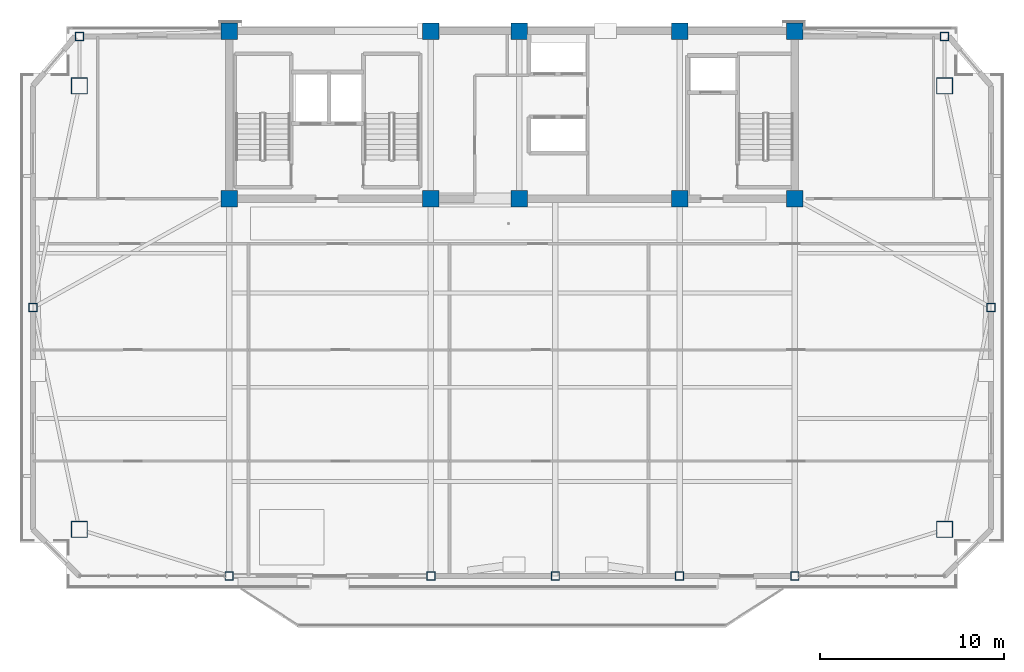
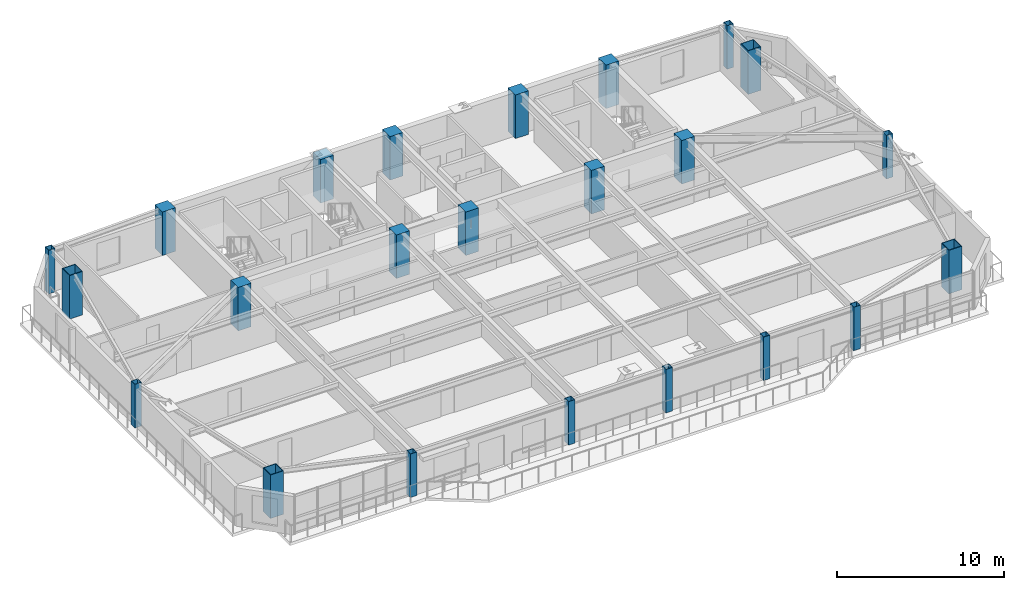
# One storey, part 1 of 16: 23 columns.
"""IFC4 building model written with IfcOpenShell, lengths in metres."""

from ifc_helpers import new_model, si_unit, direction, frame, origin, origin_2d, place, context, subcontext, project, spatial, rectangle, hollow_rectangle, extrude, source, transform, mapped, material, material_profile, profile_set, type_object, element, save


model = new_model("IFC4")

# Units and contexts
model_context = context("Model", 3, precision=1e-05, world=origin(), true_north=direction((0.0, 1.0)))
body_context = subcontext(model_context, "Body", "Model", "MODEL_VIEW")
ifc_project = project(units=[si_unit("LENGTHUNIT", "METRE"), si_unit("AREAUNIT", "SQUARE_METRE"), si_unit("VOLUMEUNIT", "CUBIC_METRE"), si_unit("PLANEANGLEUNIT", "RADIAN"), si_unit("MASSUNIT", "GRAM", prefix="KILO")], contexts=[model_context])

# Site, building, storey
site_placement = place(None, origin())
site = spatial("IfcSite", under=ifc_project, at=site_placement, CompositionType="ELEMENT")
building_placement = place(site_placement, origin())
building = spatial("IfcBuilding", under=site, at=building_placement, Name="Giltprow Tower", CompositionType="ELEMENT")
storey_placement = place(building_placement, frame((0.0, 0.0, 272.300048828125)))
storey = spatial("IfcBuildingStorey", under=building, at=storey_placement, Name="L70", CompositionType="ELEMENT", Elevation=272.300048828125)

# Columns
ifc_material_1 = material(Name="Concrete C45", Category="concrete")
ifc_material_profile_1 = material_profile(ifc_material_1, rectangle(XDim=0.89990234375, YDim=0.89990234375, at=origin_2d()), Name="RC 900x900")
ifc_profile_set_1 = profile_set([ifc_material_profile_1], Name="Concrete C45")
column_type_1 = type_object("IfcColumnType", Name="PIL-RC-900-C45", PredefinedType="PILASTER", material=ifc_profile_set_1)
shared_shape_1 = source(origin(), body_context, "Body", "SweptSolid", [
    extrude(rectangle(XDim=0.89990234375, YDim=0.89990234375, at=origin_2d()), origin(), (0.0, 0.0, 1.0), 3.18505859375),
])
for number, where, z_axis, x_axis, name in (
    (1, (19.85009765625, 37.449951171875, 0.0), (0.0, 0.0, 1.0), (1.0, 0.0, 0.0), "L70 Core Boundary Pilaster 1-1"),
    (2, (19.85009765625, 46.550048828125, 0.0), (0.0, 0.0, 1.0), (1.0, 0.0, 0.0), "L70 Core Boundary Pilaster 1-2"),
    (3, (30.800048828125, 37.449951171875, 0.0), (0.0, 0.0, 1.0), (1.0, 0.0, 0.0), "L70 Core Boundary Pilaster 2-1"),
    (4, (30.800048828125, 46.550048828125, 0.0), (0.0, 0.0, 1.0), (1.0, 0.0, 0.0), "L70 Core Boundary Pilaster 2-2"),
    (5, (35.60009765625, 37.449951171875, 0.0), (0.0, 0.0, 1.0), (1.0, 0.0, 0.0), "L70 Core Boundary Pilaster 3-1"),
    (6, (35.60009765625, 46.550048828125, 0.0), (0.0, 0.0, 1.0), (1.0, 0.0, 0.0), "L70 Core Boundary Pilaster 3-2"),
    (7, (44.300048828125, 37.449951171875, 0.0), (0.0, 0.0, 1.0), (1.0, 0.0, 0.0), "L70 Core Boundary Pilaster 4-1"),
    (8, (44.300048828125, 46.550048828125, 0.0), (0.0, 0.0, 1.0), (1.0, 0.0, 0.0), "L70 Core Boundary Pilaster 4-2"),
    (9, (50.550048828125, 37.449951171875, 0.0), (0.0, 0.0, 1.0), (1.0, 0.0, 0.0), "L70 Core Boundary Pilaster 5-1"),
    (10, (50.550048828125, 46.550048828125, 0.0), (0.0, 0.0, 1.0), (1.0, 0.0, 0.0), "L70 Core Boundary Pilaster 5-2"),
):
    element("IfcColumn", number, at=place(storey_placement, frame(where, z_axis=z_axis, x_axis=x_axis)), inside=storey, type_object=column_type_1, Name=name, PredefinedType="PILASTER", context=body_context, shape_type="MappedRepresentation", body=[
        mapped(shared_shape_1, transform((0.0, 0.0, 0.0), x_axis=(1.0, 0.0, 0.0), y_axis=(0.0, 1.0, 0.0), z_axis=(0.0, 0.0, 1.0), scale=1.0)),
    ])
ifc_material_2 = material(Name="Structural steel Q420GJC", Category="steel")
ifc_material_profile_2 = material_profile(ifc_material_2, hollow_rectangle(XDim=0.89990234375, YDim=0.89990234375, WallThickness=0.0400390625, at=origin_2d()), Name="BOX 900x900x40")
ifc_profile_set_2 = profile_set([ifc_material_profile_2], Name="Structural steel Q420GJC")
column_type_2 = type_object("IfcColumnType", Name="COL-BOX-900x900x40", PredefinedType="COLUMN", material=ifc_profile_set_2)
shared_shape_2 = source(origin(), body_context, "Body", "SweptSolid", [
    extrude(hollow_rectangle(XDim=0.89990234375, YDim=0.89990234375, WallThickness=0.0400390625, at=origin_2d()), origin(), (0.0, 0.0, 1.0), 3.18505859375),
])
for number, where, z_axis, x_axis, name in (
    (11, (11.717041015625, 19.4990234375, 0.0), (0.0, 0.0, 1.0), (1.0, 0.0, 0.0), "L70 Mega-Column MC_SW"),
    (12, (58.68408203125, 19.4990234375, 0.0), (0.0, 0.0, 1.0), (1.0, 0.0, 0.0), "L70 Mega-Column MC_SE"),
    (13, (11.717041015625, 43.576904296875, 0.0), (0.0, 0.0, 1.0), (1.0, 0.0, 0.0), "L70 Mega-Column MC_NW"),
    (14, (58.68408203125, 43.576904296875, 0.0), (0.0, 0.0, 1.0), (1.0, 0.0, 0.0), "L70 Mega-Column MC_NE"),
):
    element("IfcColumn", number, at=place(storey_placement, frame(where, z_axis=z_axis, x_axis=x_axis)), inside=storey, type_object=column_type_2, Name=name, PredefinedType="COLUMN", context=body_context, shape_type="MappedRepresentation", body=[
        mapped(shared_shape_2, transform((0.0, 0.0, 0.0), x_axis=(1.0, 0.0, 0.0), y_axis=(0.0, 1.0, 0.0), z_axis=(0.0, 0.0, 1.0), scale=1.0)),
    ])
ifc_material_3 = material(Name="Structural steel Q355B", Category="steel")
ifc_material_profile_3 = material_profile(ifc_material_3, hollow_rectangle(XDim=0.449951171875, YDim=0.449951171875, WallThickness=0.02197265625, at=origin_2d()), Name="BOX 450x450x22")
ifc_profile_set_3 = profile_set([ifc_material_profile_3], Name="Structural steel Q355B")
column_type_3 = type_object("IfcColumnType", Name="COL-BOX-450x450x22", PredefinedType="COLUMN", material=ifc_profile_set_3)
shared_shape_3 = source(origin(), body_context, "Body", "SweptSolid", [
    extrude(hollow_rectangle(XDim=0.449951171875, YDim=0.449951171875, WallThickness=0.02197265625, at=origin_2d()), origin(), (0.0, 0.0, 1.0), 3.18505859375),
])
for number, where, z_axis, x_axis, name in (
    (15, (19.85009765625, 16.97607421875, 0.0), (0.0, 0.0, 1.0), (1.0, 0.0, 0.0), "L70 Perimeter Column S1"),
    (16, (30.800048828125, 16.97607421875, 0.0), (0.0, 0.0, 1.0), (1.0, 0.0, 0.0), "L70 Perimeter Column S2"),
    (17, (37.550048828125, 16.97607421875, 0.0), (0.0, 0.0, 1.0), (1.0, 0.0, 0.0), "L70 Perimeter Column S_MID"),
    (18, (44.300048828125, 16.97607421875, 0.0), (0.0, 0.0, 1.0), (1.0, 0.0, 0.0), "L70 Perimeter Column S3"),
    (19, (50.550048828125, 16.97607421875, 0.0), (0.0, 0.0, 1.0), (1.0, 0.0, 0.0), "L70 Perimeter Column S4"),
    (20, (9.194091796875, 31.5380859375, 0.0), (0.0, 0.0, 1.0), (1.0, 0.0, 0.0), "L70 Perimeter Column W_MID"),
    (21, (61.20703125, 31.5380859375, 0.0), (0.0, 0.0, 1.0), (1.0, 0.0, 0.0), "L70 Perimeter Column E_MID"),
    (22, (11.717041015625, 46.25, 0.0), (0.0, 0.0, 1.0), (1.0, 0.0, 0.0), "L70 Perimeter Column N_W"),
    (23, (58.68408203125, 46.25, 0.0), (0.0, 0.0, 1.0), (1.0, 0.0, 0.0), "L70 Perimeter Column N_E"),
):
    element("IfcColumn", number, at=place(storey_placement, frame(where, z_axis=z_axis, x_axis=x_axis)), inside=storey, type_object=column_type_3, Name=name, PredefinedType="COLUMN", context=body_context, shape_type="MappedRepresentation", body=[
        mapped(shared_shape_3, transform((0.0, 0.0, 0.0), x_axis=(1.0, 0.0, 0.0), y_axis=(0.0, 1.0, 0.0), z_axis=(0.0, 0.0, 1.0), scale=1.0)),
    ])

save(model, "model.ifc")
